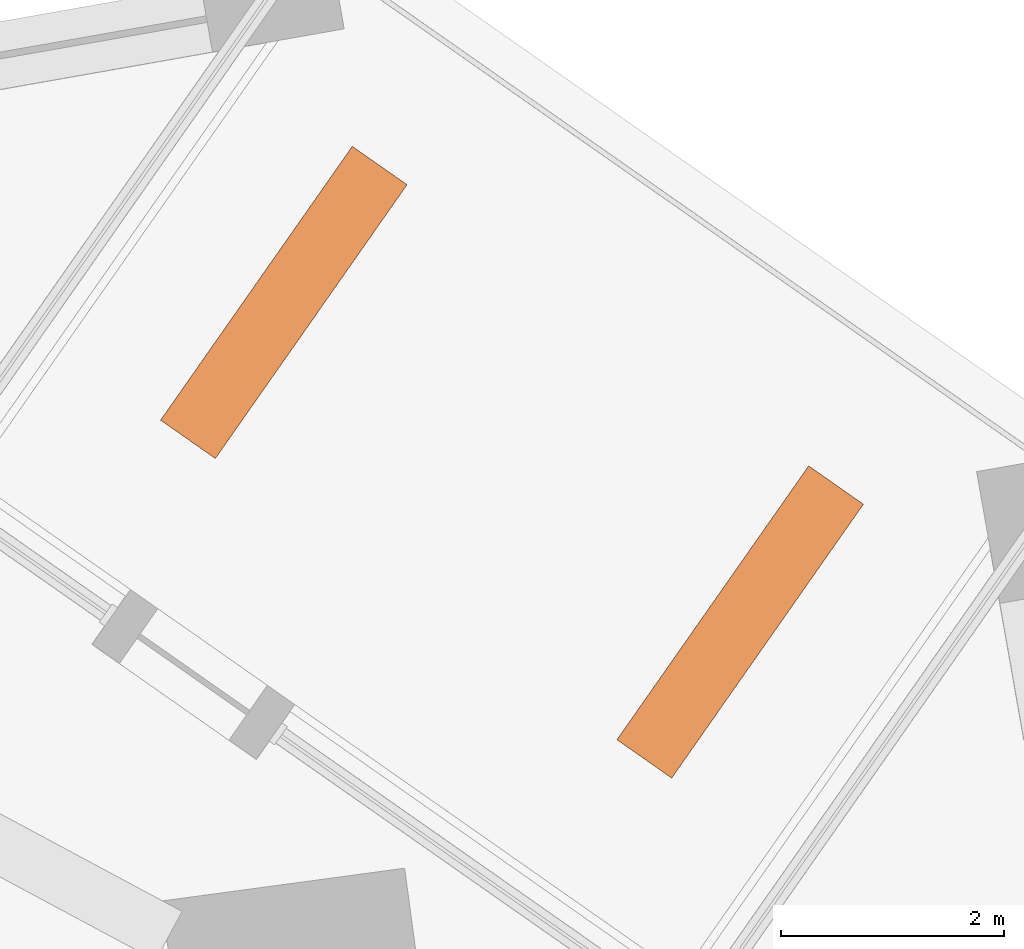
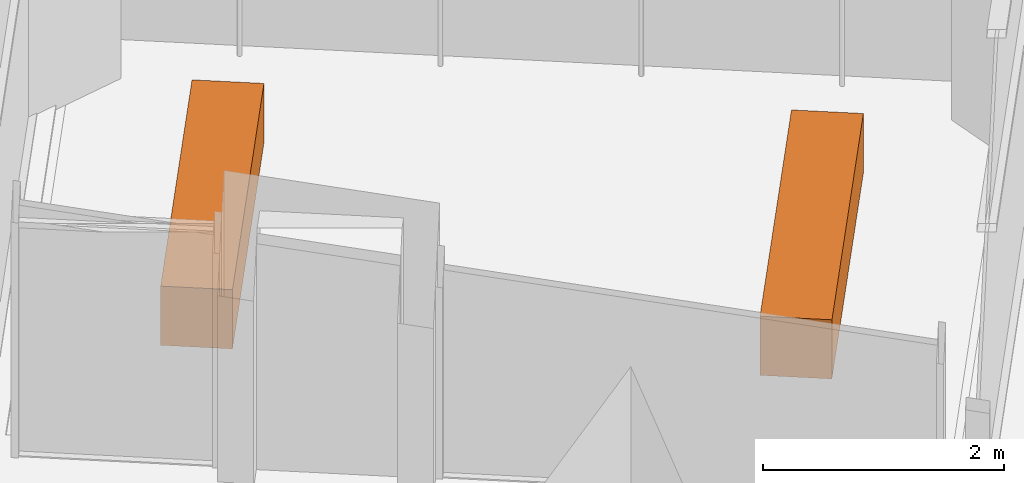
# One storey, part 10 of 10: 2 proxies.
"""IFC4 building model written with IfcOpenShell, lengths in metres."""

from ifc_helpers import new_model, si_unit, direction, frame, origin, origin_2d, place, context, subcontext, project, spatial, rectangle, extrude, element, save


model = new_model("IFC4")

# Units and contexts
model_context = context("Model", 3, precision=1e-05, world=origin(), true_north=direction((0.0, 1.0)))
body_context = subcontext(model_context, "Body", "Model", "MODEL_VIEW")
ifc_project = project(units=[si_unit("LENGTHUNIT", "METRE"), si_unit("AREAUNIT", "SQUARE_METRE"), si_unit("VOLUMEUNIT", "CUBIC_METRE"), si_unit("PLANEANGLEUNIT", "RADIAN"), si_unit("MASSUNIT", "GRAM", prefix="KILO")], contexts=[model_context])

# Site, building, storey
site_placement = place(None, origin())
site = spatial("IfcSite", under=ifc_project, at=site_placement, CompositionType="ELEMENT")
building_placement = place(site_placement, origin())
building = spatial("IfcBuilding", under=site, at=building_placement, Name="Dilmun Exchange Tower", CompositionType="ELEMENT")
storey_placement = place(building_placement, frame((0.0, 0.0, 63.89990234375)))
storey = spatial("IfcBuildingStorey", under=building, at=storey_placement, Name="L14", CompositionType="ELEMENT", Elevation=63.89990234375)

# Proxies
for number, where, z_axis, x_axis, name in (
    (1, (22.57666015625, 27.88427734375, 0.0), (0.0, 0.0, 1.0), (0.573576436351, 0.819152044289, 0.0), "PLANTER Desert shrub L14.1"),
    (2, (18.48095703125, 30.752197265625, 0.0), (0.0, 0.0, 1.0), (0.573576436351, 0.819152044289, 0.0), "PLANTER Desert shrub L14.2"),
):
    element("IfcBuildingElementProxy", number, at=place(storey_placement, frame(where, z_axis=z_axis, x_axis=x_axis)), inside=storey, Name=name, ObjectType="PLANTER", PredefinedType="USERDEFINED", context=body_context, shape_type="SweptSolid", body=[
        extrude(rectangle(XDim=3.0, YDim=0.60009765625, at=origin_2d()), origin(), (0.0, 0.0, 1.0), 0.60009765625),
    ])

save(model, "model.ifc")
